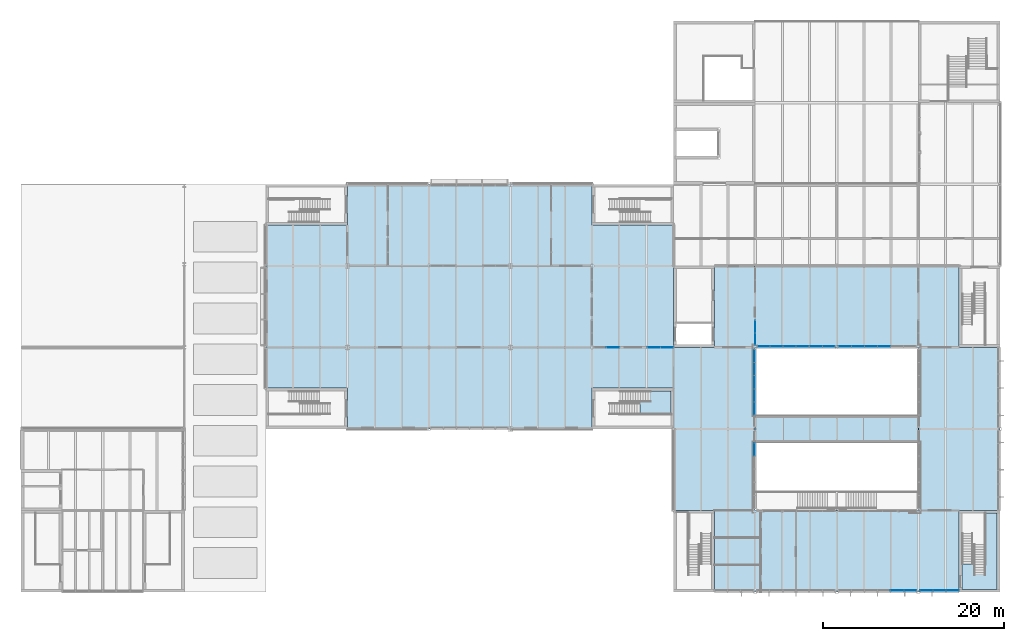
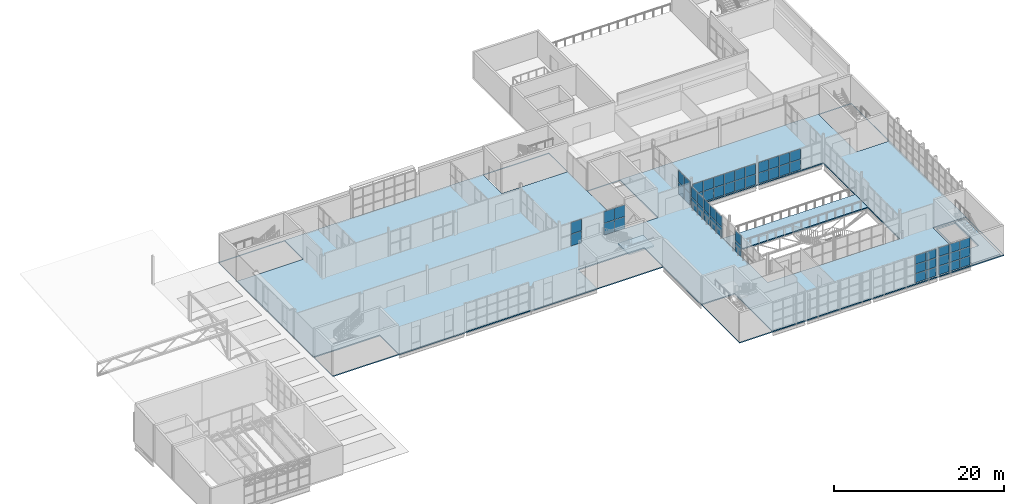
# One storey, part 38 of 61: 57 plates, 4 slabs, 10 elements without a shape of their own.
"""IFC4 building model written with IfcOpenShell, lengths in metres."""

from ifc_helpers import new_model, si_unit, direction, frame, origin, origin_2d, place, context, subcontext, project, spatial, polyline, rectangle, outline, extrude, material, layer, layer_set, type_object, element, aggregate, save


model = new_model("IFC4")

# Units and contexts
model_context = context("Model", 3, precision=1e-05, world=origin(), true_north=direction((0.0, 1.0)))
body_context = subcontext(model_context, "Body", "Model", "MODEL_VIEW")
ifc_project = project(units=[si_unit("LENGTHUNIT", "METRE"), si_unit("AREAUNIT", "SQUARE_METRE"), si_unit("VOLUMEUNIT", "CUBIC_METRE"), si_unit("PLANEANGLEUNIT", "RADIAN"), si_unit("MASSUNIT", "GRAM", prefix="KILO")], contexts=[model_context])

# Site, building, storey
site_placement = place(None, origin())
site = spatial("IfcSite", under=ifc_project, at=site_placement, CompositionType="ELEMENT")
building_placement = place(site_placement, origin())
building = spatial("IfcBuilding", under=site, at=building_placement, Name="Halyard Row Museum", CompositionType="ELEMENT")
storey_placement = place(building_placement, frame((0.0, 0.0, 9.199951171875)))
storey = spatial("IfcBuildingStorey", under=building, at=storey_placement, Name="L02", CompositionType="ELEMENT", Elevation=9.199951171875)

# Slabs
ifc_material_1 = material(Name="Concrete 40 MPa", Category="concrete")
ifc_layer_1 = layer(ifc_material_1, 0.1650390625)
ifc_layer_set_1 = layer_set([ifc_layer_1], Name="Concrete 40 MPa")
slab_type_1 = type_object("IfcSlabType", Name="Bridge deck 165 composite", PredefinedType="LANDING", material=ifc_layer_set_1)
slab_1_placement = place(storey_placement, frame((0.0, 0.0, -0.1650390625)))
element("IfcSlab", 1, at=slab_1_placement, inside=storey, type_object=slab_type_1, Name="BT1 deck", PredefinedType="LANDING", context=body_context, shape_type="SweptSolid", body=[
    extrude(outline(polyline([(81.0, 16.5), (99.0, 16.5), (99.0, 19.5), (81.0, 19.5), (81.0, 16.5)])), origin(), (0.0, 0.0, 1.0), 0.1650390625),
])
ifc_material_2 = material(Name="Concrete 40 MPa", Category="concrete")
ifc_layer_2 = layer(ifc_material_2, 0.1650390625)
ifc_layer_set_2 = layer_set([ifc_layer_2], Name="Concrete 40 MPa")
slab_type_2 = type_object("IfcSlabType", Name="Composite floor slab", PredefinedType="FLOOR", material=ifc_layer_set_2)
slab_2_placement = place(storey_placement, frame((0.0, 0.0, -0.1650390625)))
element("IfcSlab", 2, at=slab_2_placement, inside=storey, type_object=slab_type_2, Name="Floor slab L02-02", PredefinedType="FLOOR", context=body_context, shape_type="SweptSolid", body=[
    extrude(outline(polyline([(108.0, 0.0), (108.0, 36.0), (72.0, 36.0), (72.0, 45.0), (27.0, 45.0), (27.0, 18.0), (72.0, 18.0), (72.0, 0.0), (108.0, 0.0)]), holes=[polyline([(99.0, 27.0), (99.0, 9.0), (81.0, 9.0), (81.0, 27.0), (99.0, 27.0)]), polyline([(35.9951171875, 18.0048828125), (27.0048828125, 18.0048828125), (27.0048828125, 22.4951171875), (35.9951171875, 22.4951171875), (35.9951171875, 18.0048828125)]), polyline([(71.9951171875, 18.0048828125), (63.0048828125, 18.0048828125), (63.0048828125, 22.4951171875), (71.9951171875, 22.4951171875), (71.9951171875, 18.0048828125)]), polyline([(35.9951171875, 40.5048828125), (27.0048828125, 40.5048828125), (27.0048828125, 44.9951171875), (35.9951171875, 44.9951171875), (35.9951171875, 40.5048828125)]), polyline([(71.9951171875, 40.5048828125), (63.0048828125, 40.5048828125), (63.0048828125, 44.9951171875), (71.9951171875, 44.9951171875), (71.9951171875, 40.5048828125)]), polyline([(76.4951171875, 8.9951171875), (76.4951171875, 0.0048828125), (72.0048828125, 0.0048828125), (72.0048828125, 8.9951171875), (76.4951171875, 8.9951171875)]), polyline([(107.9951171875, 0.0048828125), (103.5048828125, 0.0048828125), (103.5048828125, 8.9951171875), (107.9951171875, 8.9951171875), (107.9951171875, 0.0048828125)]), polyline([(76.4951171875, 27.0048828125), (72.0048828125, 27.0048828125), (72.0048828125, 35.9951171875), (76.4951171875, 35.9951171875), (76.4951171875, 27.0048828125)]), polyline([(107.9951171875, 27.0048828125), (103.5048828125, 27.0048828125), (103.5048828125, 35.9951171875), (107.9951171875, 35.9951171875), (107.9951171875, 27.0048828125)])]), origin(), (0.0, 0.0, 1.0), 0.1650390625),
])
ifc_material_3 = material(Name="Concrete 40 MPa", Category="concrete")
ifc_layer_3 = layer(ifc_material_3, 0.25)
ifc_layer_set_3 = layer_set([ifc_layer_3], Name="Concrete 40 MPa")
slab_type_3 = type_object("IfcSlabType", Name="Core floor slab 250", PredefinedType="FLOOR", material=ifc_layer_set_3)
slab_3_placement = place(storey_placement, frame((0.0, 0.0, -0.25)))
element("IfcSlab", 3, at=slab_3_placement, inside=storey, type_object=slab_type_3, Name="Core floor K2B L02", PredefinedType="FLOOR", context=body_context, shape_type="SweptSolid", body=[
    extrude(outline(polyline([(107.699951171875, 8.699951171875), (103.800048828125, 8.699951171875), (103.800048828125, 0.300048828125), (107.699951171875, 0.300048828125), (107.699951171875, 8.699951171875)]), holes=[polyline([(106.346923828125, 8.697021484375), (106.346923828125, 3.10302734375), (103.802978515625, 3.10302734375), (103.802978515625, 8.697021484375), (106.346923828125, 8.697021484375)])]), origin(), (0.0, 0.0, 1.0), 0.25),
])

# Curtain wall, plates
ifc_material_4 = material(Name="Double glazed unit, low-emissivity", Category="glass")
ifc_layer_4 = layer(ifc_material_4, 0.219970703125)
ifc_layer_set_4 = layer_set([ifc_layer_4], Name="Double glazed unit, low-emissivity")
curtain_wall_type_1 = type_object("IfcCurtainWallType", Name="Curtain wall unitised 220 deep", PredefinedType="NOTDEFINED", material=ifc_layer_set_4)
curtain_wall_1_placement = place(storey_placement, origin())
curtain_wall_1 = element("IfcCurtainWall", 4, at=curtain_wall_1_placement, inside=storey, type_object=curtain_wall_type_1, Name="Curtain wall CW039", PredefinedType="NOTDEFINED")
ifc_material_5 = material(Name="Double glazed unit, low-emissivity", Category="glass")
ifc_layer_5 = layer(ifc_material_5, 0.035888671875)
ifc_layer_set_5 = layer_set([ifc_layer_5], Name="Double glazed unit, low-emissivity")
plate_type_1 = type_object("IfcPlateType", Name="Curtain wall glazed panel CP3 36", PredefinedType="CURTAIN_PANEL", material=ifc_layer_set_5)
plate_1_placement = place(storey_placement, frame((96.675048828125, 0.159912109375, 0.06005859375), z_axis=(0.0, 0.0, 1.0), x_axis=(1.0, 0.0, 0.0)))
plate_1 = element("IfcPlate", 5, at=plate_1_placement, type_object=plate_type_1, Name="CW039 panel 5.1", PredefinedType="CURTAIN_PANEL", context=body_context, shape_type="SweptSolid", body=[
    extrude(rectangle(XDim=1.389892578125, YDim=0.035888671875, at=origin_2d()), origin(), (0.0, 0.0, 1.0), 1.2548828125),
])
plate_2_placement = place(storey_placement, frame((96.675048828125, 0.159912109375, 1.375), z_axis=(0.0, 0.0, 1.0), x_axis=(1.0, 0.0, 0.0)))
plate_2 = element("IfcPlate", 6, at=plate_2_placement, type_object=plate_type_1, Name="CW039 panel 5.2", PredefinedType="CURTAIN_PANEL", context=body_context, shape_type="SweptSolid", body=[
    extrude(rectangle(XDim=1.389892578125, YDim=0.035888671875, at=origin_2d()), origin(), (0.0, 0.0, 1.0), 1.284912109375),
])
plate_3_placement = place(storey_placement, frame((96.675048828125, 0.159912109375, 2.72021484375), z_axis=(0.0, 0.0, 1.0), x_axis=(1.0, 0.0, 0.0)))
plate_3 = element("IfcPlate", 7, at=plate_3_placement, type_object=plate_type_1, Name="CW039 panel 5.3", PredefinedType="CURTAIN_PANEL", context=body_context, shape_type="SweptSolid", body=[
    extrude(rectangle(XDim=1.389892578125, YDim=0.035888671875, at=origin_2d()), origin(), (0.0, 0.0, 1.0), 1.2548828125),
])
plate_4_placement = place(storey_placement, frame((98.110107421875, 0.159912109375, 0.06005859375), z_axis=(0.0, 0.0, 1.0), x_axis=(1.0, 0.0, 0.0)))
plate_4 = element("IfcPlate", 8, at=plate_4_placement, type_object=plate_type_1, Name="CW039 panel 6.1", PredefinedType="CURTAIN_PANEL", context=body_context, shape_type="SweptSolid", body=[
    extrude(rectangle(XDim=1.360107421875, YDim=0.035888671875, at=origin_2d()), origin(), (0.0, 0.0, 1.0), 1.2548828125),
])
plate_5_placement = place(storey_placement, frame((98.110107421875, 0.159912109375, 1.375), z_axis=(0.0, 0.0, 1.0), x_axis=(1.0, 0.0, 0.0)))
plate_5 = element("IfcPlate", 9, at=plate_5_placement, type_object=plate_type_1, Name="CW039 panel 6.2", PredefinedType="CURTAIN_PANEL", context=body_context, shape_type="SweptSolid", body=[
    extrude(rectangle(XDim=1.360107421875, YDim=0.035888671875, at=origin_2d()), origin(), (0.0, 0.0, 1.0), 1.284912109375),
])
plate_6_placement = place(storey_placement, frame((98.110107421875, 0.159912109375, 2.72021484375), z_axis=(0.0, 0.0, 1.0), x_axis=(1.0, 0.0, 0.0)))
plate_6 = element("IfcPlate", 10, at=plate_6_placement, type_object=plate_type_1, Name="CW039 panel 6.3", PredefinedType="CURTAIN_PANEL", context=body_context, shape_type="SweptSolid", body=[
    extrude(rectangle(XDim=1.360107421875, YDim=0.035888671875, at=origin_2d()), origin(), (0.0, 0.0, 1.0), 1.2548828125),
])
aggregate(curtain_wall_1, [plate_1, plate_2, plate_3, plate_4, plate_5, plate_6])

curtain_wall_2_placement = place(storey_placement, origin())
curtain_wall_2 = element("IfcCurtainWall", 11, at=curtain_wall_2_placement, inside=storey, type_object=curtain_wall_type_1, Name="Curtain wall CW040", PredefinedType="NOTDEFINED")
plate_7_placement = place(storey_placement, frame((99.889892578125, 0.159912109375, 0.06005859375), z_axis=(0.0, 0.0, 1.0), x_axis=(1.0, 0.0, 0.0)))
plate_7 = element("IfcPlate", 12, at=plate_7_placement, type_object=plate_type_1, Name="CW040 panel 1.1", PredefinedType="CURTAIN_PANEL", context=body_context, shape_type="SweptSolid", body=[
    extrude(rectangle(XDim=1.360107421875, YDim=0.035888671875, at=origin_2d()), origin(), (0.0, 0.0, 1.0), 1.2548828125),
])
plate_8_placement = place(storey_placement, frame((99.889892578125, 0.159912109375, 1.375), z_axis=(0.0, 0.0, 1.0), x_axis=(1.0, 0.0, 0.0)))
plate_8 = element("IfcPlate", 13, at=plate_8_placement, type_object=plate_type_1, Name="CW040 panel 1.2", PredefinedType="CURTAIN_PANEL", context=body_context, shape_type="SweptSolid", body=[
    extrude(rectangle(XDim=1.360107421875, YDim=0.035888671875, at=origin_2d()), origin(), (0.0, 0.0, 1.0), 1.284912109375),
])
plate_9_placement = place(storey_placement, frame((99.889892578125, 0.159912109375, 2.72021484375), z_axis=(0.0, 0.0, 1.0), x_axis=(1.0, 0.0, 0.0)))
plate_9 = element("IfcPlate", 14, at=plate_9_placement, type_object=plate_type_1, Name="CW040 panel 1.3", PredefinedType="CURTAIN_PANEL", context=body_context, shape_type="SweptSolid", body=[
    extrude(rectangle(XDim=1.360107421875, YDim=0.035888671875, at=origin_2d()), origin(), (0.0, 0.0, 1.0), 1.2548828125),
])
plate_10_placement = place(storey_placement, frame((101.324951171875, 0.159912109375, 0.06005859375), z_axis=(0.0, 0.0, 1.0), x_axis=(1.0, 0.0, 0.0)))
plate_10 = element("IfcPlate", 15, at=plate_10_placement, type_object=plate_type_1, Name="CW040 panel 2.1", PredefinedType="CURTAIN_PANEL", context=body_context, shape_type="SweptSolid", body=[
    extrude(rectangle(XDim=1.389892578125, YDim=0.035888671875, at=origin_2d()), origin(), (0.0, 0.0, 1.0), 1.2548828125),
])
plate_11_placement = place(storey_placement, frame((101.324951171875, 0.159912109375, 1.375), z_axis=(0.0, 0.0, 1.0), x_axis=(1.0, 0.0, 0.0)))
plate_11 = element("IfcPlate", 16, at=plate_11_placement, type_object=plate_type_1, Name="CW040 panel 2.2", PredefinedType="CURTAIN_PANEL", context=body_context, shape_type="SweptSolid", body=[
    extrude(rectangle(XDim=1.389892578125, YDim=0.035888671875, at=origin_2d()), origin(), (0.0, 0.0, 1.0), 1.284912109375),
])
plate_12_placement = place(storey_placement, frame((101.324951171875, 0.159912109375, 2.72021484375), z_axis=(0.0, 0.0, 1.0), x_axis=(1.0, 0.0, 0.0)))
plate_12 = element("IfcPlate", 17, at=plate_12_placement, type_object=plate_type_1, Name="CW040 panel 2.3", PredefinedType="CURTAIN_PANEL", context=body_context, shape_type="SweptSolid", body=[
    extrude(rectangle(XDim=1.389892578125, YDim=0.035888671875, at=origin_2d()), origin(), (0.0, 0.0, 1.0), 1.2548828125),
])
plate_13_placement = place(storey_placement, frame((102.760009765625, 0.159912109375, 0.06005859375), z_axis=(0.0, 0.0, 1.0), x_axis=(1.0, 0.0, 0.0)))
plate_13 = element("IfcPlate", 18, at=plate_13_placement, type_object=plate_type_1, Name="CW040 panel 3.1", PredefinedType="CURTAIN_PANEL", context=body_context, shape_type="SweptSolid", body=[
    extrude(rectangle(XDim=1.360107421875, YDim=0.035888671875, at=origin_2d()), origin(), (0.0, 0.0, 1.0), 1.2548828125),
])
plate_14_placement = place(storey_placement, frame((102.760009765625, 0.159912109375, 1.375), z_axis=(0.0, 0.0, 1.0), x_axis=(1.0, 0.0, 0.0)))
plate_14 = element("IfcPlate", 19, at=plate_14_placement, type_object=plate_type_1, Name="CW040 panel 3.2", PredefinedType="CURTAIN_PANEL", context=body_context, shape_type="SweptSolid", body=[
    extrude(rectangle(XDim=1.360107421875, YDim=0.035888671875, at=origin_2d()), origin(), (0.0, 0.0, 1.0), 1.284912109375),
])
plate_15_placement = place(storey_placement, frame((102.760009765625, 0.159912109375, 2.72021484375), z_axis=(0.0, 0.0, 1.0), x_axis=(1.0, 0.0, 0.0)))
plate_15 = element("IfcPlate", 20, at=plate_15_placement, type_object=plate_type_1, Name="CW040 panel 3.3", PredefinedType="CURTAIN_PANEL", context=body_context, shape_type="SweptSolid", body=[
    extrude(rectangle(XDim=1.360107421875, YDim=0.035888671875, at=origin_2d()), origin(), (0.0, 0.0, 1.0), 1.2548828125),
])
aggregate(curtain_wall_2, [plate_7, plate_8, plate_9, plate_10, plate_11, plate_12, plate_13, plate_14, plate_15])

ifc_material_6 = material(Name="Fire-resisting laminated glazing", Category="glass")
ifc_layer_6 = layer(ifc_material_6, 0.159912109375)
ifc_layer_set_6 = layer_set([ifc_layer_6], Name="Fire-resisting laminated glazing")
curtain_wall_type_2 = type_object("IfcCurtainWallType", Name="Curtain wall atrium screen 160 deep", PredefinedType="NOTDEFINED", material=ifc_layer_set_6)
curtain_wall_3_placement = place(storey_placement, origin())
curtain_wall_3 = element("IfcCurtainWall", 21, at=curtain_wall_3_placement, inside=storey, type_object=curtain_wall_type_2, Name="Curtain wall CW089", PredefinedType="NOTDEFINED")
ifc_material_7 = material(Name="Fire-resisting laminated glazing", Category="glass")
ifc_layer_7 = layer(ifc_material_7, 0.0400390625)
ifc_layer_set_7 = layer_set([ifc_layer_7], Name="Fire-resisting laminated glazing")
plate_type_2 = type_object("IfcPlateType", Name="Curtain wall glazed panel CP5 40", PredefinedType="CURTAIN_PANEL", material=ifc_layer_set_7)
plate_16_placement = place(storey_placement, frame((95.198974609375, 27.080078125, 0.06005859375), z_axis=(0.0, 0.0, 1.0), x_axis=(-1.0, 0.0, 0.0)))
plate_16 = element("IfcPlate", 22, at=plate_16_placement, type_object=plate_type_2, Name="CW089 panel 3.1", PredefinedType="CURTAIN_PANEL", context=body_context, shape_type="SweptSolid", body=[
    extrude(rectangle(XDim=1.379150390625, YDim=0.0400390625, at=origin_2d()), origin(), (0.0, 0.0, 1.0), 1.47216796875),
])
plate_17_placement = place(storey_placement, frame((95.198974609375, 27.080078125, 1.59228515625), z_axis=(0.0, 0.0, 1.0), x_axis=(-1.0, 0.0, 0.0)))
plate_17 = element("IfcPlate", 23, at=plate_17_placement, type_object=plate_type_2, Name="CW089 panel 3.2", PredefinedType="CURTAIN_PANEL", context=body_context, shape_type="SweptSolid", body=[
    extrude(rectangle(XDim=1.379150390625, YDim=0.0400390625, at=origin_2d()), origin(), (0.0, 0.0, 1.0), 1.47216796875),
])
plate_18_placement = place(storey_placement, frame((93.759765625, 27.080078125, 0.06005859375), z_axis=(0.0, 0.0, 1.0), x_axis=(-1.0, 0.0, 0.0)))
plate_18 = element("IfcPlate", 24, at=plate_18_placement, type_object=plate_type_2, Name="CW089 panel 4.1", PredefinedType="CURTAIN_PANEL", context=body_context, shape_type="SweptSolid", body=[
    extrude(rectangle(XDim=1.379150390625, YDim=0.0400390625, at=origin_2d()), origin(), (0.0, 0.0, 1.0), 1.47216796875),
])
plate_19_placement = place(storey_placement, frame((93.759765625, 27.080078125, 1.59228515625), z_axis=(0.0, 0.0, 1.0), x_axis=(-1.0, 0.0, 0.0)))
plate_19 = element("IfcPlate", 25, at=plate_19_placement, type_object=plate_type_2, Name="CW089 panel 4.2", PredefinedType="CURTAIN_PANEL", context=body_context, shape_type="SweptSolid", body=[
    extrude(rectangle(XDim=1.379150390625, YDim=0.0400390625, at=origin_2d()), origin(), (0.0, 0.0, 1.0), 1.47216796875),
])
plate_20_placement = place(storey_placement, frame((92.320556640625, 27.080078125, 0.06005859375), z_axis=(0.0, 0.0, 1.0), x_axis=(-1.0, 0.0, 0.0)))
plate_20 = element("IfcPlate", 26, at=plate_20_placement, type_object=plate_type_2, Name="CW089 panel 5.1", PredefinedType="CURTAIN_PANEL", context=body_context, shape_type="SweptSolid", body=[
    extrude(rectangle(XDim=1.379150390625, YDim=0.0400390625, at=origin_2d()), origin(), (0.0, 0.0, 1.0), 1.47216796875),
])
plate_21_placement = place(storey_placement, frame((92.320556640625, 27.080078125, 1.59228515625), z_axis=(0.0, 0.0, 1.0), x_axis=(-1.0, 0.0, 0.0)))
plate_21 = element("IfcPlate", 27, at=plate_21_placement, type_object=plate_type_2, Name="CW089 panel 5.2", PredefinedType="CURTAIN_PANEL", context=body_context, shape_type="SweptSolid", body=[
    extrude(rectangle(XDim=1.379150390625, YDim=0.0400390625, at=origin_2d()), origin(), (0.0, 0.0, 1.0), 1.47216796875),
])
plate_22_placement = place(storey_placement, frame((90.896484375, 27.080078125, 0.06005859375), z_axis=(0.0, 0.0, 1.0), x_axis=(-1.0, 0.0, 0.0)))
plate_22 = element("IfcPlate", 28, at=plate_22_placement, type_object=plate_type_2, Name="CW089 panel 6.1", PredefinedType="CURTAIN_PANEL", context=body_context, shape_type="SweptSolid", body=[
    extrude(rectangle(XDim=1.34912109375, YDim=0.0400390625, at=origin_2d()), origin(), (0.0, 0.0, 1.0), 1.47216796875),
])
plate_23_placement = place(storey_placement, frame((90.896484375, 27.080078125, 1.59228515625), z_axis=(0.0, 0.0, 1.0), x_axis=(-1.0, 0.0, 0.0)))
plate_23 = element("IfcPlate", 29, at=plate_23_placement, type_object=plate_type_2, Name="CW089 panel 6.2", PredefinedType="CURTAIN_PANEL", context=body_context, shape_type="SweptSolid", body=[
    extrude(rectangle(XDim=1.34912109375, YDim=0.0400390625, at=origin_2d()), origin(), (0.0, 0.0, 1.0), 1.47216796875),
])
aggregate(curtain_wall_3, [plate_16, plate_17, plate_18, plate_19, plate_20, plate_21, plate_22, plate_23])

curtain_wall_4_placement = place(storey_placement, origin())
curtain_wall_4 = element("IfcCurtainWall", 30, at=curtain_wall_4_placement, inside=storey, type_object=curtain_wall_type_2, Name="Curtain wall CW090", PredefinedType="NOTDEFINED")
plate_24_placement = place(storey_placement, frame((89.103515625, 27.080078125, 0.06005859375), z_axis=(0.0, 0.0, 1.0), x_axis=(-1.0, 0.0, 0.0)))
plate_24 = element("IfcPlate", 31, at=plate_24_placement, type_object=plate_type_2, Name="CW090 panel 1.1", PredefinedType="CURTAIN_PANEL", context=body_context, shape_type="SweptSolid", body=[
    extrude(rectangle(XDim=1.34912109375, YDim=0.0400390625, at=origin_2d()), origin(), (0.0, 0.0, 1.0), 1.47216796875),
])
plate_25_placement = place(storey_placement, frame((89.103515625, 27.080078125, 1.59228515625), z_axis=(0.0, 0.0, 1.0), x_axis=(-1.0, 0.0, 0.0)))
plate_25 = element("IfcPlate", 32, at=plate_25_placement, type_object=plate_type_2, Name="CW090 panel 1.2", PredefinedType="CURTAIN_PANEL", context=body_context, shape_type="SweptSolid", body=[
    extrude(rectangle(XDim=1.34912109375, YDim=0.0400390625, at=origin_2d()), origin(), (0.0, 0.0, 1.0), 1.47216796875),
])
plate_26_placement = place(storey_placement, frame((87.679443359375, 27.080078125, 0.06005859375), z_axis=(0.0, 0.0, 1.0), x_axis=(-1.0, 0.0, 0.0)))
plate_26 = element("IfcPlate", 33, at=plate_26_placement, type_object=plate_type_2, Name="CW090 panel 2.1", PredefinedType="CURTAIN_PANEL", context=body_context, shape_type="SweptSolid", body=[
    extrude(rectangle(XDim=1.379150390625, YDim=0.0400390625, at=origin_2d()), origin(), (0.0, 0.0, 1.0), 1.47216796875),
])
plate_27_placement = place(storey_placement, frame((87.679443359375, 27.080078125, 1.59228515625), z_axis=(0.0, 0.0, 1.0), x_axis=(-1.0, 0.0, 0.0)))
plate_27 = element("IfcPlate", 34, at=plate_27_placement, type_object=plate_type_2, Name="CW090 panel 2.2", PredefinedType="CURTAIN_PANEL", context=body_context, shape_type="SweptSolid", body=[
    extrude(rectangle(XDim=1.379150390625, YDim=0.0400390625, at=origin_2d()), origin(), (0.0, 0.0, 1.0), 1.47216796875),
])
plate_28_placement = place(storey_placement, frame((86.240234375, 27.080078125, 0.06005859375), z_axis=(0.0, 0.0, 1.0), x_axis=(-1.0, 0.0, 0.0)))
plate_28 = element("IfcPlate", 35, at=plate_28_placement, type_object=plate_type_2, Name="CW090 panel 3.1", PredefinedType="CURTAIN_PANEL", context=body_context, shape_type="SweptSolid", body=[
    extrude(rectangle(XDim=1.379150390625, YDim=0.0400390625, at=origin_2d()), origin(), (0.0, 0.0, 1.0), 1.47216796875),
])
plate_29_placement = place(storey_placement, frame((86.240234375, 27.080078125, 1.59228515625), z_axis=(0.0, 0.0, 1.0), x_axis=(-1.0, 0.0, 0.0)))
plate_29 = element("IfcPlate", 36, at=plate_29_placement, type_object=plate_type_2, Name="CW090 panel 3.2", PredefinedType="CURTAIN_PANEL", context=body_context, shape_type="SweptSolid", body=[
    extrude(rectangle(XDim=1.379150390625, YDim=0.0400390625, at=origin_2d()), origin(), (0.0, 0.0, 1.0), 1.47216796875),
])
plate_30_placement = place(storey_placement, frame((84.801025390625, 27.080078125, 0.06005859375), z_axis=(0.0, 0.0, 1.0), x_axis=(-1.0, 0.0, 0.0)))
plate_30 = element("IfcPlate", 37, at=plate_30_placement, type_object=plate_type_2, Name="CW090 panel 4.1", PredefinedType="CURTAIN_PANEL", context=body_context, shape_type="SweptSolid", body=[
    extrude(rectangle(XDim=1.379150390625, YDim=0.0400390625, at=origin_2d()), origin(), (0.0, 0.0, 1.0), 1.47216796875),
])
plate_31_placement = place(storey_placement, frame((84.801025390625, 27.080078125, 1.59228515625), z_axis=(0.0, 0.0, 1.0), x_axis=(-1.0, 0.0, 0.0)))
plate_31 = element("IfcPlate", 38, at=plate_31_placement, type_object=plate_type_2, Name="CW090 panel 4.2", PredefinedType="CURTAIN_PANEL", context=body_context, shape_type="SweptSolid", body=[
    extrude(rectangle(XDim=1.379150390625, YDim=0.0400390625, at=origin_2d()), origin(), (0.0, 0.0, 1.0), 1.47216796875),
])
plate_32_placement = place(storey_placement, frame((83.36181640625, 27.080078125, 0.06005859375), z_axis=(0.0, 0.0, 1.0), x_axis=(-1.0, 0.0, 0.0)))
plate_32 = element("IfcPlate", 39, at=plate_32_placement, type_object=plate_type_2, Name="CW090 panel 5.1", PredefinedType="CURTAIN_PANEL", context=body_context, shape_type="SweptSolid", body=[
    extrude(rectangle(XDim=1.379150390625, YDim=0.0400390625, at=origin_2d()), origin(), (0.0, 0.0, 1.0), 1.47216796875),
])
plate_33_placement = place(storey_placement, frame((83.36181640625, 27.080078125, 1.59228515625), z_axis=(0.0, 0.0, 1.0), x_axis=(-1.0, 0.0, 0.0)))
plate_33 = element("IfcPlate", 40, at=plate_33_placement, type_object=plate_type_2, Name="CW090 panel 5.2", PredefinedType="CURTAIN_PANEL", context=body_context, shape_type="SweptSolid", body=[
    extrude(rectangle(XDim=1.379150390625, YDim=0.0400390625, at=origin_2d()), origin(), (0.0, 0.0, 1.0), 1.47216796875),
])
plate_34_placement = place(storey_placement, frame((81.937744140625, 27.080078125, 0.06005859375), z_axis=(0.0, 0.0, 1.0), x_axis=(-1.0, 0.0, 0.0)))
plate_34 = element("IfcPlate", 41, at=plate_34_placement, type_object=plate_type_2, Name="CW090 panel 6.1", PredefinedType="CURTAIN_PANEL", context=body_context, shape_type="SweptSolid", body=[
    extrude(rectangle(XDim=1.34912109375, YDim=0.0400390625, at=origin_2d()), origin(), (0.0, 0.0, 1.0), 1.47216796875),
])
plate_35_placement = place(storey_placement, frame((81.937744140625, 27.080078125, 1.59228515625), z_axis=(0.0, 0.0, 1.0), x_axis=(-1.0, 0.0, 0.0)))
plate_35 = element("IfcPlate", 42, at=plate_35_placement, type_object=plate_type_2, Name="CW090 panel 6.2", PredefinedType="CURTAIN_PANEL", context=body_context, shape_type="SweptSolid", body=[
    extrude(rectangle(XDim=1.34912109375, YDim=0.0400390625, at=origin_2d()), origin(), (0.0, 0.0, 1.0), 1.47216796875),
])
aggregate(curtain_wall_4, [plate_24, plate_25, plate_26, plate_27, plate_28, plate_29, plate_30, plate_31, plate_32, plate_33, plate_34, plate_35])

curtain_wall_5_placement = place(storey_placement, origin())
curtain_wall_5 = element("IfcCurtainWall", 43, at=curtain_wall_5_placement, inside=storey, type_object=curtain_wall_type_2, Name="Curtain wall CW091", PredefinedType="NOTDEFINED")
plate_36_placement = place(storey_placement, frame((80.919921875, 26.052001953125, 0.06005859375), z_axis=(0.0, 0.0, 1.0), x_axis=(0.0, -1.0, 0.0)))
plate_36 = element("IfcPlate", 44, at=plate_36_placement, type_object=plate_type_2, Name="CW091 panel 1.1", PredefinedType="CURTAIN_PANEL", context=body_context, shape_type="SweptSolid", body=[
    extrude(rectangle(XDim=1.369384765625, YDim=0.0400390625, at=origin_2d()), origin(), (0.0, 0.0, 1.0), 1.47216796875),
])
plate_37_placement = place(storey_placement, frame((80.919921875, 26.052001953125, 1.59228515625), z_axis=(0.0, 0.0, 1.0), x_axis=(0.0, -1.0, 0.0)))
plate_37 = element("IfcPlate", 45, at=plate_37_placement, type_object=plate_type_2, Name="CW091 panel 1.2", PredefinedType="CURTAIN_PANEL", context=body_context, shape_type="SweptSolid", body=[
    extrude(rectangle(XDim=1.369384765625, YDim=0.0400390625, at=origin_2d()), origin(), (0.0, 0.0, 1.0), 1.47216796875),
])
plate_38_placement = place(storey_placement, frame((80.919921875, 24.607666015625, 0.06005859375), z_axis=(0.0, 0.0, 1.0), x_axis=(0.0, -1.0, 0.0)))
plate_38 = element("IfcPlate", 46, at=plate_38_placement, type_object=plate_type_2, Name="CW091 panel 2.1", PredefinedType="CURTAIN_PANEL", context=body_context, shape_type="SweptSolid", body=[
    extrude(rectangle(XDim=1.3994140625, YDim=0.0400390625, at=origin_2d()), origin(), (0.0, 0.0, 1.0), 1.47216796875),
])
plate_39_placement = place(storey_placement, frame((80.919921875, 24.607666015625, 1.59228515625), z_axis=(0.0, 0.0, 1.0), x_axis=(0.0, -1.0, 0.0)))
plate_39 = element("IfcPlate", 47, at=plate_39_placement, type_object=plate_type_2, Name="CW091 panel 2.2", PredefinedType="CURTAIN_PANEL", context=body_context, shape_type="SweptSolid", body=[
    extrude(rectangle(XDim=1.3994140625, YDim=0.0400390625, at=origin_2d()), origin(), (0.0, 0.0, 1.0), 1.47216796875),
])
plate_40_placement = place(storey_placement, frame((80.919921875, 23.1484375, 0.06005859375), z_axis=(0.0, 0.0, 1.0), x_axis=(0.0, -1.0, 0.0)))
plate_40 = element("IfcPlate", 48, at=plate_40_placement, type_object=plate_type_2, Name="CW091 panel 3.1", PredefinedType="CURTAIN_PANEL", context=body_context, shape_type="SweptSolid", body=[
    extrude(rectangle(XDim=1.3994140625, YDim=0.0400390625, at=origin_2d()), origin(), (0.0, 0.0, 1.0), 1.47216796875),
])
plate_41_placement = place(storey_placement, frame((80.919921875, 23.1484375, 1.59228515625), z_axis=(0.0, 0.0, 1.0), x_axis=(0.0, -1.0, 0.0)))
plate_41 = element("IfcPlate", 49, at=plate_41_placement, type_object=plate_type_2, Name="CW091 panel 3.2", PredefinedType="CURTAIN_PANEL", context=body_context, shape_type="SweptSolid", body=[
    extrude(rectangle(XDim=1.3994140625, YDim=0.0400390625, at=origin_2d()), origin(), (0.0, 0.0, 1.0), 1.47216796875),
])
plate_42_placement = place(storey_placement, frame((80.919921875, 21.68896484375, 0.06005859375), z_axis=(0.0, 0.0, 1.0), x_axis=(0.0, -1.0, 0.0)))
plate_42 = element("IfcPlate", 50, at=plate_42_placement, type_object=plate_type_2, Name="CW091 panel 4.1", PredefinedType="CURTAIN_PANEL", context=body_context, shape_type="SweptSolid", body=[
    extrude(rectangle(XDim=1.3994140625, YDim=0.0400390625, at=origin_2d()), origin(), (0.0, 0.0, 1.0), 1.47216796875),
])
plate_43_placement = place(storey_placement, frame((80.919921875, 21.68896484375, 1.59228515625), z_axis=(0.0, 0.0, 1.0), x_axis=(0.0, -1.0, 0.0)))
plate_43 = element("IfcPlate", 51, at=plate_43_placement, type_object=plate_type_2, Name="CW091 panel 4.2", PredefinedType="CURTAIN_PANEL", context=body_context, shape_type="SweptSolid", body=[
    extrude(rectangle(XDim=1.3994140625, YDim=0.0400390625, at=origin_2d()), origin(), (0.0, 0.0, 1.0), 1.47216796875),
])
plate_44_placement = place(storey_placement, frame((80.919921875, 20.24462890625, 0.06005859375), z_axis=(0.0, 0.0, 1.0), x_axis=(0.0, -1.0, 0.0)))
plate_44 = element("IfcPlate", 52, at=plate_44_placement, type_object=plate_type_2, Name="CW091 panel 5.1", PredefinedType="CURTAIN_PANEL", context=body_context, shape_type="SweptSolid", body=[
    extrude(rectangle(XDim=1.369384765625, YDim=0.0400390625, at=origin_2d()), origin(), (0.0, 0.0, 1.0), 1.47216796875),
])
plate_45_placement = place(storey_placement, frame((80.919921875, 20.24462890625, 1.59228515625), z_axis=(0.0, 0.0, 1.0), x_axis=(0.0, -1.0, 0.0)))
plate_45 = element("IfcPlate", 53, at=plate_45_placement, type_object=plate_type_2, Name="CW091 panel 5.2", PredefinedType="CURTAIN_PANEL", context=body_context, shape_type="SweptSolid", body=[
    extrude(rectangle(XDim=1.369384765625, YDim=0.0400390625, at=origin_2d()), origin(), (0.0, 0.0, 1.0), 1.47216796875),
])
aggregate(curtain_wall_5, [plate_36, plate_37, plate_38, plate_39, plate_40, plate_41, plate_42, plate_43, plate_44, plate_45])

curtain_wall_6_placement = place(storey_placement, origin())
curtain_wall_6 = element("IfcCurtainWall", 54, at=curtain_wall_6_placement, inside=storey, type_object=curtain_wall_type_2, Name="Curtain wall CW092", PredefinedType="NOTDEFINED")
plate_46_placement = place(storey_placement, frame((80.919921875, 15.75537109375, 0.06005859375), z_axis=(0.0, 0.0, 1.0), x_axis=(0.0, -1.0, 0.0)))
plate_46 = element("IfcPlate", 55, at=plate_46_placement, type_object=plate_type_2, Name="CW092 panel 1.1", PredefinedType="CURTAIN_PANEL", context=body_context, shape_type="SweptSolid", body=[
    extrude(rectangle(XDim=1.369384765625, YDim=0.0400390625, at=origin_2d()), origin(), (0.0, 0.0, 1.0), 1.47216796875),
])
plate_47_placement = place(storey_placement, frame((80.919921875, 15.75537109375, 1.59228515625), z_axis=(0.0, 0.0, 1.0), x_axis=(0.0, -1.0, 0.0)))
plate_47 = element("IfcPlate", 56, at=plate_47_placement, type_object=plate_type_2, Name="CW092 panel 1.2", PredefinedType="CURTAIN_PANEL", context=body_context, shape_type="SweptSolid", body=[
    extrude(rectangle(XDim=1.369384765625, YDim=0.0400390625, at=origin_2d()), origin(), (0.0, 0.0, 1.0), 1.47216796875),
])
aggregate(curtain_wall_6, [plate_46, plate_47])

curtain_wall_7_placement = place(storey_placement, origin())
curtain_wall_7 = element("IfcCurtainWall", 57, at=curtain_wall_7_placement, inside=storey, type_object=curtain_wall_type_2, Name="Curtain wall CW162", PredefinedType="NOTDEFINED")
plate_48_placement = place(storey_placement, frame((65.330322265625, 27.0, 0.06005859375), z_axis=(0.0, 0.0, 1.0), x_axis=(1.0, 0.0, 0.0)))
plate_48 = element("IfcPlate", 58, at=plate_48_placement, type_object=plate_type_2, Name="CW162 panel 2.1", PredefinedType="CURTAIN_PANEL", context=body_context, shape_type="SweptSolid", body=[
    extrude(rectangle(XDim=1.371826171875, YDim=0.0400390625, at=origin_2d()), origin(), (0.0, 0.0, 1.0), 1.660888671875),
])
plate_49_placement = place(storey_placement, frame((65.330322265625, 27.0, 1.78125), z_axis=(0.0, 0.0, 1.0), x_axis=(1.0, 0.0, 0.0)))
plate_49 = element("IfcPlate", 59, at=plate_49_placement, type_object=plate_type_2, Name="CW162 panel 2.2", PredefinedType="CURTAIN_PANEL", context=body_context, shape_type="SweptSolid", body=[
    extrude(rectangle(XDim=1.371826171875, YDim=0.0400390625, at=origin_2d()), origin(), (0.0, 0.0, 1.0), 1.660888671875),
])
aggregate(curtain_wall_7, [plate_48, plate_49])

curtain_wall_8_placement = place(storey_placement, origin())
curtain_wall_8 = element("IfcCurtainWall", 60, at=curtain_wall_8_placement, inside=storey, type_object=curtain_wall_type_2, Name="Curtain wall CW163", PredefinedType="NOTDEFINED")
plate_50_placement = place(storey_placement, frame((69.822265625, 27.0, 0.06005859375), z_axis=(0.0, 0.0, 1.0), x_axis=(1.0, 0.0, 0.0)))
plate_50 = element("IfcPlate", 61, at=plate_50_placement, type_object=plate_type_2, Name="CW163 panel 1.1", PredefinedType="CURTAIN_PANEL", context=body_context, shape_type="SweptSolid", body=[
    extrude(rectangle(XDim=1.371826171875, YDim=0.0400390625, at=origin_2d()), origin(), (0.0, 0.0, 1.0), 1.660888671875),
])
plate_51_placement = place(storey_placement, frame((69.822265625, 27.0, 1.78125), z_axis=(0.0, 0.0, 1.0), x_axis=(1.0, 0.0, 0.0)))
plate_51 = element("IfcPlate", 62, at=plate_51_placement, type_object=plate_type_2, Name="CW163 panel 1.2", PredefinedType="CURTAIN_PANEL", context=body_context, shape_type="SweptSolid", body=[
    extrude(rectangle(XDim=1.371826171875, YDim=0.0400390625, at=origin_2d()), origin(), (0.0, 0.0, 1.0), 1.660888671875),
])
plate_52_placement = place(storey_placement, frame((71.254150390625, 27.0, 0.06005859375), z_axis=(0.0, 0.0, 1.0), x_axis=(1.0, 0.0, 0.0)))
plate_52 = element("IfcPlate", 63, at=plate_52_placement, type_object=plate_type_2, Name="CW163 panel 2.1", PredefinedType="CURTAIN_PANEL", context=body_context, shape_type="SweptSolid", body=[
    extrude(rectangle(XDim=1.371826171875, YDim=0.0400390625, at=origin_2d()), origin(), (0.0, 0.0, 1.0), 1.660888671875),
])
plate_53_placement = place(storey_placement, frame((71.254150390625, 27.0, 1.78125), z_axis=(0.0, 0.0, 1.0), x_axis=(1.0, 0.0, 0.0)))
plate_53 = element("IfcPlate", 64, at=plate_53_placement, type_object=plate_type_2, Name="CW163 panel 2.2", PredefinedType="CURTAIN_PANEL", context=body_context, shape_type="SweptSolid", body=[
    extrude(rectangle(XDim=1.371826171875, YDim=0.0400390625, at=origin_2d()), origin(), (0.0, 0.0, 1.0), 1.660888671875),
])
aggregate(curtain_wall_8, [plate_50, plate_51, plate_52, plate_53])

curtain_wall_9_placement = place(storey_placement, origin())
curtain_wall_9 = element("IfcCurtainWall", 65, at=curtain_wall_9_placement, inside=storey, type_object=curtain_wall_type_2, Name="Curtain wall CW172", PredefinedType="NOTDEFINED")
plate_54_placement = place(storey_placement, frame((81.0, 27.9228515625, 0.06005859375), z_axis=(0.0, 0.0, 1.0), x_axis=(0.0, 1.0, 0.0)))
plate_54 = element("IfcPlate", 66, at=plate_54_placement, type_object=plate_type_2, Name="CW172 panel 1.1", PredefinedType="CURTAIN_PANEL", context=body_context, shape_type="SweptSolid", body=[
    extrude(rectangle(XDim=1.319091796875, YDim=0.0400390625, at=origin_2d()), origin(), (0.0, 0.0, 1.0), 1.660888671875),
])
plate_55_placement = place(storey_placement, frame((81.0, 27.9228515625, 1.78125), z_axis=(0.0, 0.0, 1.0), x_axis=(0.0, 1.0, 0.0)))
plate_55 = element("IfcPlate", 67, at=plate_55_placement, type_object=plate_type_2, Name="CW172 panel 1.2", PredefinedType="CURTAIN_PANEL", context=body_context, shape_type="SweptSolid", body=[
    extrude(rectangle(XDim=1.319091796875, YDim=0.0400390625, at=origin_2d()), origin(), (0.0, 0.0, 1.0), 1.660888671875),
])
plate_56_placement = place(storey_placement, frame((81.0, 29.302001953125, 0.06005859375), z_axis=(0.0, 0.0, 1.0), x_axis=(0.0, 1.0, 0.0)))
plate_56 = element("IfcPlate", 68, at=plate_56_placement, type_object=plate_type_2, Name="CW172 panel 2.1", PredefinedType="CURTAIN_PANEL", context=body_context, shape_type="SweptSolid", body=[
    extrude(rectangle(XDim=1.319091796875, YDim=0.0400390625, at=origin_2d()), origin(), (0.0, 0.0, 1.0), 1.660888671875),
])
plate_57_placement = place(storey_placement, frame((81.0, 29.302001953125, 1.78125), z_axis=(0.0, 0.0, 1.0), x_axis=(0.0, 1.0, 0.0)))
plate_57 = element("IfcPlate", 69, at=plate_57_placement, type_object=plate_type_2, Name="CW172 panel 2.2", PredefinedType="CURTAIN_PANEL", context=body_context, shape_type="SweptSolid", body=[
    extrude(rectangle(XDim=1.319091796875, YDim=0.0400390625, at=origin_2d()), origin(), (0.0, 0.0, 1.0), 1.660888671875),
])
aggregate(curtain_wall_9, [plate_54, plate_55, plate_56, plate_57])

# Stair, slab
ifc_material_8 = material(Name="Concrete 40 MPa", Category="concrete")
stair_type = type_object("IfcStairType", Name="Exit stair two flights 1200", PredefinedType="HALF_TURN_STAIR", material=ifc_material_8)
stair_placement = place(storey_placement, origin())
stair = element("IfcStair", 70, at=stair_placement, inside=storey, type_object=stair_type, Name="Exit stair K1C L02", PredefinedType="HALF_TURN_STAIR")
ifc_material_9 = material(Name="Concrete 40 MPa", Category="concrete")
ifc_layer_8 = layer(ifc_material_9, 0.199951171875)
ifc_layer_set_8 = layer_set([ifc_layer_8], Name="Concrete 40 MPa")
slab_type_4 = type_object("IfcSlabType", Name="Exit stair landing 200", PredefinedType="LANDING", material=ifc_layer_set_8)
slab_4_placement = place(storey_placement, frame((0.0, 0.0, 1.900146484375)))
slab_4 = element("IfcSlab", 71, at=slab_4_placement, type_object=slab_type_4, Name="STK1C-L02 landing 1", PredefinedType="LANDING", context=body_context, shape_type="SweptSolid", body=[
    extrude(outline(polyline([(68.260009765625, 19.64990234375), (68.260009765625, 22.199951171875), (71.699951171875, 22.199951171875), (71.699951171875, 19.64990234375), (68.260009765625, 19.64990234375)])), origin(), (0.0, 0.0, 1.0), 0.199951171875),
])
aggregate(stair, [slab_4])

save(model, "model.ifc")
